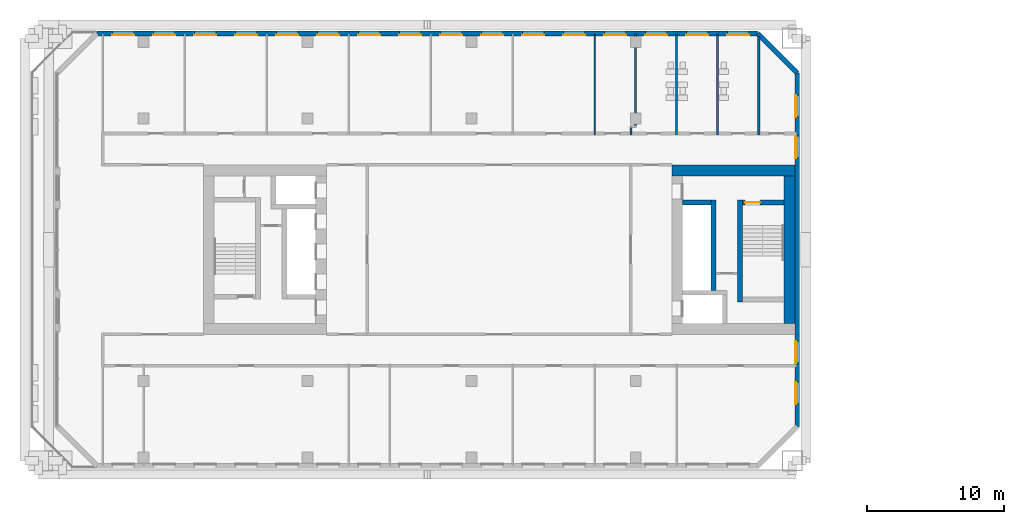
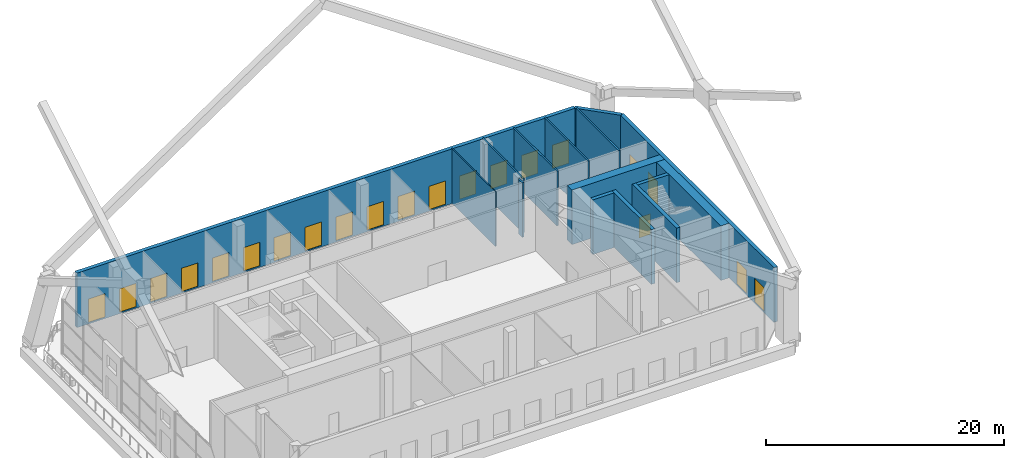
# One storey, part 12 of 20: 20 windows, 15 walls, 1 door, 21 openings.
"""IFC4 building model written with IfcOpenShell, lengths in metres."""

from ifc_helpers import new_model, si_unit, direction, frame, frame_2d, origin, place, context, subcontext, project, spatial, rectangle, extrude, material, layer, layer_set, type_object, element, fill, save


model = new_model("IFC4")

# Units and contexts
model_context = context("Model", 3, precision=1e-05, world=origin(), true_north=direction((0.0, 1.0)))
body_context = subcontext(model_context, "Body", "Model", "MODEL_VIEW")
ifc_project = project(units=[si_unit("LENGTHUNIT", "METRE"), si_unit("AREAUNIT", "SQUARE_METRE"), si_unit("VOLUMEUNIT", "CUBIC_METRE"), si_unit("PLANEANGLEUNIT", "RADIAN"), si_unit("MASSUNIT", "GRAM", prefix="KILO")], contexts=[model_context])

# Site, building, storey
site_placement = place(None, origin())
site = spatial("IfcSite", under=ifc_project, at=site_placement, CompositionType="ELEMENT")
building_placement = place(site_placement, origin())
building = spatial("IfcBuilding", under=site, at=building_placement, Name="Tuart Gate Housing", CompositionType="ELEMENT")
storey_placement = place(building_placement, frame((0.0, 0.0, 38.10009765625)))
storey = spatial("IfcBuildingStorey", under=building, at=storey_placement, Name="L10", CompositionType="ELEMENT", Elevation=38.10009765625)

# Walls
ifc_material_1 = material(Name="Gypsum board on steel studs", Category="steel")
ifc_layer_1 = layer(ifc_material_1, 0.14990234375)
ifc_layer_set_1 = layer_set([ifc_layer_1], Name="Bathroom wall 150")
wall_type_1 = type_object("IfcWallType", Name="Bathroom wall 150", PredefinedType="PLUMBINGWALL", material=ifc_layer_set_1)
wall_1_placement = place(storey_placement, frame((63.639892578125, 78.39990234375, 0.0), z_axis=(0.0, 0.0, 1.0), x_axis=(0.0, 1.0, 0.0)))
element("IfcWall", 1, at=wall_1_placement, inside=storey, type_object=wall_type_1, Name="Bathroom wall 150", PredefinedType="PLUMBINGWALL", context=body_context, shape_type="SweptSolid", body=[
    extrude(rectangle(XDim=0.675048828125, YDim=0.14990234375, at=frame_2d((0.33740234375, 0.0))), origin(), (0.0, 0.0, 1.0), 5.599853515625),
])
wall_2_placement = place(storey_placement, frame((64.0, 78.925048828125, 0.0), z_axis=(0.0, 0.0, 1.0), x_axis=(0.0, 1.0, 0.0)))
element("IfcWall", 2, at=wall_2_placement, inside=storey, type_object=wall_type_1, Name="Bathroom wall 150", PredefinedType="PLUMBINGWALL", context=body_context, shape_type="SweptSolid", body=[
    extrude(rectangle(XDim=6.8349609375, YDim=0.14990234375, at=frame_2d((3.41748046875, 0.0))), origin(), (0.0, 0.0, 1.0), 5.599853515625),
])
for number, where, z_axis, x_axis, name in (
    (3, (67.0, 78.39990234375, 0.0), (0.0, 0.0, 1.0), (0.0, 1.0, 0.0), "Bathroom wall 150"),
    (4, (70.0, 78.39990234375, 0.0), (0.0, 0.0, 1.0), (0.0, 1.0, 0.0), "Bathroom wall 150"),
):
    element("IfcWall", number, at=place(storey_placement, frame(where, z_axis=z_axis, x_axis=x_axis)), inside=storey, type_object=wall_type_1, Name=name, PredefinedType="PLUMBINGWALL", context=body_context, shape_type="SweptSolid", body=[
        extrude(rectangle(XDim=7.360107421875, YDim=0.14990234375, at=frame_2d((3.68017578125, 0.0))), origin(), (0.0, 0.0, 1.0), 5.599853515625),
    ])
wall_3_placement = place(storey_placement, frame((73.0, 78.39990234375, 0.0), z_axis=(0.0, 0.0, 1.0), x_axis=(0.0, 1.0, 0.0)))
element("IfcWall", 5, at=wall_3_placement, inside=storey, type_object=wall_type_1, Name="Bathroom wall 150", PredefinedType="PLUMBINGWALL", context=body_context, shape_type="SweptSolid", body=[
    extrude(rectangle(XDim=7.211181640625, YDim=0.14990234375, at=frame_2d((3.60546875, 0.0))), origin(), (0.0, 0.0, 1.0), 5.599853515625),
])

# Wall, openings, windows
ifc_material_2 = material(Name="Brick", Category="masonry")
ifc_layer_2 = layer(ifc_material_2, 0.360107421875)
ifc_layer_set_2 = layer_set([ifc_layer_2], Name="Brick pier and spandrel wall 360")
wall_type_2 = type_object("IfcWallType", Name="Brick pier and spandrel wall 360", PredefinedType="STANDARD", material=ifc_layer_set_2)
wall_4_placement = place(storey_placement, frame((75.820068359375, 57.07470703125, 0.0), z_axis=(0.0, 0.0, 1.0), x_axis=(0.0, 1.0, 0.0)))
wall_4 = element("IfcWall", 6, at=wall_4_placement, inside=storey, type_object=wall_type_2, Name="External wall A-E L10", PredefinedType="STANDARD", context=body_context, shape_type="SweptSolid", body=[
    extrude(rectangle(XDim=25.850830078125, YDim=0.360107421875, at=frame_2d((12.92529296875, 0.0))), origin(), (0.0, 0.0, 1.0), 5.599853515625),
])
opening_1_placement = place(wall_4_placement, frame((1.62548828125, 0.0, 0.14990234375)))
opening_1 = element("IfcOpeningElement", 7, at=opening_1_placement, cuts=wall_4, Name="Opening W2", PredefinedType="OPENING", context=body_context, shape_type="SweptSolid", body=[
    extrude(rectangle(XDim=1.60009765625, YDim=2.39990234375, at=frame_2d((0.800048828125, 1.199951171875))), frame((0.0, 0.18994140625, 0.0), z_axis=(0.0, -1.0, 0.0), x_axis=(1.0, 0.0, 0.0)), (0.0, 0.0, 1.0), 0.380126953125),
])
opening_2_placement = place(wall_4_placement, frame((4.62548828125, 0.0, 0.14990234375)))
opening_2 = element("IfcOpeningElement", 8, at=opening_2_placement, cuts=wall_4, Name="Opening W2", PredefinedType="OPENING", context=body_context, shape_type="SweptSolid", body=[
    extrude(rectangle(XDim=1.60009765625, YDim=2.39990234375, at=frame_2d((0.800048828125, 1.199951171875))), frame((0.0, 0.18994140625, 0.0), z_axis=(0.0, -1.0, 0.0), x_axis=(1.0, 0.0, 0.0)), (0.0, 0.0, 1.0), 0.380126953125),
])
opening_3_placement = place(wall_4_placement, frame((19.62548828125, 0.0, 0.14990234375)))
opening_3 = element("IfcOpeningElement", 9, at=opening_3_placement, cuts=wall_4, Name="Opening W2", PredefinedType="OPENING", context=body_context, shape_type="SweptSolid", body=[
    extrude(rectangle(XDim=1.60009765625, YDim=2.39990234375, at=frame_2d((0.800048828125, 1.199951171875))), frame((0.0, 0.18994140625, 0.0), z_axis=(0.0, -1.0, 0.0), x_axis=(1.0, 0.0, 0.0)), (0.0, 0.0, 1.0), 0.380126953125),
])
opening_4_placement = place(wall_4_placement, frame((22.62548828125, 0.0, 0.14990234375)))
opening_4 = element("IfcOpeningElement", 10, at=opening_4_placement, cuts=wall_4, Name="Opening W2", PredefinedType="OPENING", context=body_context, shape_type="SweptSolid", body=[
    extrude(rectangle(XDim=1.60009765625, YDim=2.39990234375, at=frame_2d((0.800048828125, 1.199951171875))), frame((0.0, 0.18994140625, 0.0), z_axis=(0.0, -1.0, 0.0), x_axis=(1.0, 0.0, 0.0)), (0.0, 0.0, 1.0), 0.380126953125),
])
ifc_material_3 = material(Name="Aluminium frame with clear glass", Category="aluminium")
window_type = type_object("IfcWindowType", Name="Garden lounge window 1600 x 2400", PartitioningType="SINGLE_PANEL", PredefinedType="WINDOW", material=ifc_material_3)
window_1_placement = place(opening_1_placement, origin())
window_1 = element("IfcWindow", 11, at=window_1_placement, inside=storey, type_object=window_type, Name="Window W2", OverallHeight=2.39990234375, OverallWidth=1.60009765625, PartitioningType="SINGLE_PANEL", PredefinedType="WINDOW", context=body_context, shape_type="SweptSolid", body=[
    extrude(rectangle(XDim=1.60009765625, YDim=2.39990234375, at=frame_2d((0.800048828125, 1.199951171875))), frame((0.0, 0.150146484375, 0.0), z_axis=(0.0, -1.0, 0.0), x_axis=(1.0, 0.0, 0.0)), (0.0, 0.0, 1.0), 0.06005859375),
])
fill(opening_1, window_1)
window_2_placement = place(opening_2_placement, origin())
window_2 = element("IfcWindow", 12, at=window_2_placement, inside=storey, type_object=window_type, Name="Window W2", OverallHeight=2.39990234375, OverallWidth=1.60009765625, PartitioningType="SINGLE_PANEL", PredefinedType="WINDOW", context=body_context, shape_type="SweptSolid", body=[
    extrude(rectangle(XDim=1.60009765625, YDim=2.39990234375, at=frame_2d((0.800048828125, 1.199951171875))), frame((0.0, 0.150146484375, 0.0), z_axis=(0.0, -1.0, 0.0), x_axis=(1.0, 0.0, 0.0)), (0.0, 0.0, 1.0), 0.06005859375),
])
fill(opening_2, window_2)
window_3_placement = place(opening_3_placement, origin())
window_3 = element("IfcWindow", 13, at=window_3_placement, inside=storey, type_object=window_type, Name="Window W2", OverallHeight=2.39990234375, OverallWidth=1.60009765625, PartitioningType="SINGLE_PANEL", PredefinedType="WINDOW", context=body_context, shape_type="SweptSolid", body=[
    extrude(rectangle(XDim=1.60009765625, YDim=2.39990234375, at=frame_2d((0.800048828125, 1.199951171875))), frame((0.0, 0.150146484375, 0.0), z_axis=(0.0, -1.0, 0.0), x_axis=(1.0, 0.0, 0.0)), (0.0, 0.0, 1.0), 0.06005859375),
])
fill(opening_3, window_3)
window_4_placement = place(opening_4_placement, origin())
window_4 = element("IfcWindow", 14, at=window_4_placement, inside=storey, type_object=window_type, Name="Window W2", OverallHeight=2.39990234375, OverallWidth=1.60009765625, PartitioningType="SINGLE_PANEL", PredefinedType="WINDOW", context=body_context, shape_type="SweptSolid", body=[
    extrude(rectangle(XDim=1.60009765625, YDim=2.39990234375, at=frame_2d((0.800048828125, 1.199951171875))), frame((0.0, 0.150146484375, 0.0), z_axis=(0.0, -1.0, 0.0), x_axis=(1.0, 0.0, 0.0)), (0.0, 0.0, 1.0), 0.06005859375),
])
fill(opening_4, window_4)

# Wall
wall_5_placement = place(storey_placement, frame((75.820068359375, 82.92529296875, 0.0), z_axis=(0.0, 0.0, 1.0), x_axis=(-0.707106781187, 0.707106781187, 0.0)))
element("IfcWall", 15, at=wall_5_placement, inside=storey, type_object=wall_type_2, Name="External wall A-NE L10", PredefinedType="STANDARD", context=body_context, shape_type="SweptSolid", body=[
    extrude(rectangle(XDim=4.09375, YDim=0.360107421875, at=frame_2d((2.046875, 0.0))), origin(), (0.0, 0.0, 1.0), 5.599853515625),
])

# Wall, openings, windows
wall_6_placement = place(storey_placement, frame((72.92529296875, 85.820068359375, 0.0), z_axis=(0.0, 0.0, 1.0), x_axis=(-1.0, 0.0, 0.0)))
wall_6 = element("IfcWall", 16, at=wall_6_placement, inside=storey, type_object=wall_type_2, Name="External wall A-N L10", PredefinedType="STANDARD", context=body_context, shape_type="SweptSolid", body=[
    extrude(rectangle(XDim=48.350830078125, YDim=0.360107421875, at=frame_2d((24.17529296875, 0.0))), origin(), (0.0, 0.0, 1.0), 5.599853515625),
])
opening_5_placement = place(wall_6_placement, frame((0.62548828125, 0.0, 0.14990234375)))
opening_5 = element("IfcOpeningElement", 17, at=opening_5_placement, cuts=wall_6, Name="Opening W2", PredefinedType="OPENING", context=body_context, shape_type="SweptSolid", body=[
    extrude(rectangle(XDim=1.60009765625, YDim=2.39990234375, at=frame_2d((0.800048828125, 1.199951171875))), frame((0.0, 0.18994140625, 0.0), z_axis=(0.0, -1.0, 0.0), x_axis=(1.0, 0.0, 0.0)), (0.0, 0.0, 1.0), 0.380126953125),
])
opening_6_placement = place(wall_6_placement, frame((3.62548828125, 0.0, 0.14990234375)))
opening_6 = element("IfcOpeningElement", 18, at=opening_6_placement, cuts=wall_6, Name="Opening W2", PredefinedType="OPENING", context=body_context, shape_type="SweptSolid", body=[
    extrude(rectangle(XDim=1.60009765625, YDim=2.39990234375, at=frame_2d((0.800048828125, 1.199951171875))), frame((0.0, 0.18994140625, 0.0), z_axis=(0.0, -1.0, 0.0), x_axis=(1.0, 0.0, 0.0)), (0.0, 0.0, 1.0), 0.380126953125),
])
opening_7_placement = place(wall_6_placement, frame((6.62548828125, 0.0, 0.14990234375)))
opening_7 = element("IfcOpeningElement", 19, at=opening_7_placement, cuts=wall_6, Name="Opening W2", PredefinedType="OPENING", context=body_context, shape_type="SweptSolid", body=[
    extrude(rectangle(XDim=1.60009765625, YDim=2.39990234375, at=frame_2d((0.800048828125, 1.199951171875))), frame((0.0, 0.18994140625, 0.0), z_axis=(0.0, -1.0, 0.0), x_axis=(1.0, 0.0, 0.0)), (0.0, 0.0, 1.0), 0.380126953125),
])
opening_8_placement = place(wall_6_placement, frame((9.62548828125, 0.0, 0.14990234375)))
opening_8 = element("IfcOpeningElement", 20, at=opening_8_placement, cuts=wall_6, Name="Opening W2", PredefinedType="OPENING", context=body_context, shape_type="SweptSolid", body=[
    extrude(rectangle(XDim=1.60009765625, YDim=2.39990234375, at=frame_2d((0.800048828125, 1.199951171875))), frame((0.0, 0.18994140625, 0.0), z_axis=(0.0, -1.0, 0.0), x_axis=(1.0, 0.0, 0.0)), (0.0, 0.0, 1.0), 0.380126953125),
])
opening_9_placement = place(wall_6_placement, frame((12.62548828125, 0.0, 0.14990234375)))
opening_9 = element("IfcOpeningElement", 21, at=opening_9_placement, cuts=wall_6, Name="Opening W2", PredefinedType="OPENING", context=body_context, shape_type="SweptSolid", body=[
    extrude(rectangle(XDim=1.60009765625, YDim=2.39990234375, at=frame_2d((0.800048828125, 1.199951171875))), frame((0.0, 0.18994140625, 0.0), z_axis=(0.0, -1.0, 0.0), x_axis=(1.0, 0.0, 0.0)), (0.0, 0.0, 1.0), 0.380126953125),
])
opening_10_placement = place(wall_6_placement, frame((15.62548828125, 0.0, 0.14990234375)))
opening_10 = element("IfcOpeningElement", 22, at=opening_10_placement, cuts=wall_6, Name="Opening W2", PredefinedType="OPENING", context=body_context, shape_type="SweptSolid", body=[
    extrude(rectangle(XDim=1.60009765625, YDim=2.39990234375, at=frame_2d((0.800048828125, 1.199951171875))), frame((0.0, 0.18994140625, 0.0), z_axis=(0.0, -1.0, 0.0), x_axis=(1.0, 0.0, 0.0)), (0.0, 0.0, 1.0), 0.380126953125),
])
opening_11_placement = place(wall_6_placement, frame((18.62548828125, 0.0, 0.14990234375)))
opening_11 = element("IfcOpeningElement", 23, at=opening_11_placement, cuts=wall_6, Name="Opening W2", PredefinedType="OPENING", context=body_context, shape_type="SweptSolid", body=[
    extrude(rectangle(XDim=1.60009765625, YDim=2.39990234375, at=frame_2d((0.800048828125, 1.199951171875))), frame((0.0, 0.18994140625, 0.0), z_axis=(0.0, -1.0, 0.0), x_axis=(1.0, 0.0, 0.0)), (0.0, 0.0, 1.0), 0.380126953125),
])
opening_12_placement = place(wall_6_placement, frame((21.62548828125, 0.0, 0.14990234375)))
opening_12 = element("IfcOpeningElement", 24, at=opening_12_placement, cuts=wall_6, Name="Opening W2", PredefinedType="OPENING", context=body_context, shape_type="SweptSolid", body=[
    extrude(rectangle(XDim=1.60009765625, YDim=2.39990234375, at=frame_2d((0.800048828125, 1.199951171875))), frame((0.0, 0.18994140625, 0.0), z_axis=(0.0, -1.0, 0.0), x_axis=(1.0, 0.0, 0.0)), (0.0, 0.0, 1.0), 0.380126953125),
])
opening_13_placement = place(wall_6_placement, frame((24.62548828125, 0.0, 0.14990234375)))
opening_13 = element("IfcOpeningElement", 25, at=opening_13_placement, cuts=wall_6, Name="Opening W2", PredefinedType="OPENING", context=body_context, shape_type="SweptSolid", body=[
    extrude(rectangle(XDim=1.60009765625, YDim=2.39990234375, at=frame_2d((0.800048828125, 1.199951171875))), frame((0.0, 0.18994140625, 0.0), z_axis=(0.0, -1.0, 0.0), x_axis=(1.0, 0.0, 0.0)), (0.0, 0.0, 1.0), 0.380126953125),
])
opening_14_placement = place(wall_6_placement, frame((27.62548828125, 0.0, 0.14990234375)))
opening_14 = element("IfcOpeningElement", 26, at=opening_14_placement, cuts=wall_6, Name="Opening W2", PredefinedType="OPENING", context=body_context, shape_type="SweptSolid", body=[
    extrude(rectangle(XDim=1.60009765625, YDim=2.39990234375, at=frame_2d((0.800048828125, 1.199951171875))), frame((0.0, 0.18994140625, 0.0), z_axis=(0.0, -1.0, 0.0), x_axis=(1.0, 0.0, 0.0)), (0.0, 0.0, 1.0), 0.380126953125),
])
opening_15_placement = place(wall_6_placement, frame((30.62548828125, 0.0, 0.14990234375)))
opening_15 = element("IfcOpeningElement", 27, at=opening_15_placement, cuts=wall_6, Name="Opening W2", PredefinedType="OPENING", context=body_context, shape_type="SweptSolid", body=[
    extrude(rectangle(XDim=1.60009765625, YDim=2.39990234375, at=frame_2d((0.800048828125, 1.199951171875))), frame((0.0, 0.18994140625, 0.0), z_axis=(0.0, -1.0, 0.0), x_axis=(1.0, 0.0, 0.0)), (0.0, 0.0, 1.0), 0.380126953125),
])
opening_16_placement = place(wall_6_placement, frame((33.62548828125, 0.0, 0.14990234375)))
opening_16 = element("IfcOpeningElement", 28, at=opening_16_placement, cuts=wall_6, Name="Opening W2", PredefinedType="OPENING", context=body_context, shape_type="SweptSolid", body=[
    extrude(rectangle(XDim=1.60009765625, YDim=2.39990234375, at=frame_2d((0.800048828125, 1.199951171875))), frame((0.0, 0.18994140625, 0.0), z_axis=(0.0, -1.0, 0.0), x_axis=(1.0, 0.0, 0.0)), (0.0, 0.0, 1.0), 0.380126953125),
])
opening_17_placement = place(wall_6_placement, frame((36.62548828125, 0.0, 0.14990234375)))
opening_17 = element("IfcOpeningElement", 29, at=opening_17_placement, cuts=wall_6, Name="Opening W2", PredefinedType="OPENING", context=body_context, shape_type="SweptSolid", body=[
    extrude(rectangle(XDim=1.60009765625, YDim=2.39990234375, at=frame_2d((0.800048828125, 1.199951171875))), frame((0.0, 0.18994140625, 0.0), z_axis=(0.0, -1.0, 0.0), x_axis=(1.0, 0.0, 0.0)), (0.0, 0.0, 1.0), 0.380126953125),
])
opening_18_placement = place(wall_6_placement, frame((39.62548828125, 0.0, 0.14990234375)))
opening_18 = element("IfcOpeningElement", 30, at=opening_18_placement, cuts=wall_6, Name="Opening W2", PredefinedType="OPENING", context=body_context, shape_type="SweptSolid", body=[
    extrude(rectangle(XDim=1.60009765625, YDim=2.39990234375, at=frame_2d((0.800048828125, 1.199951171875))), frame((0.0, 0.18994140625, 0.0), z_axis=(0.0, -1.0, 0.0), x_axis=(1.0, 0.0, 0.0)), (0.0, 0.0, 1.0), 0.380126953125),
])
opening_19_placement = place(wall_6_placement, frame((42.62548828125, 0.0, 0.14990234375)))
opening_19 = element("IfcOpeningElement", 31, at=opening_19_placement, cuts=wall_6, Name="Opening W2", PredefinedType="OPENING", context=body_context, shape_type="SweptSolid", body=[
    extrude(rectangle(XDim=1.60009765625, YDim=2.39990234375, at=frame_2d((0.800048828125, 1.199951171875))), frame((0.0, 0.18994140625, 0.0), z_axis=(0.0, -1.0, 0.0), x_axis=(1.0, 0.0, 0.0)), (0.0, 0.0, 1.0), 0.380126953125),
])
opening_20_placement = place(wall_6_placement, frame((45.62548828125, 0.0, 0.14990234375)))
opening_20 = element("IfcOpeningElement", 32, at=opening_20_placement, cuts=wall_6, Name="Opening W2", PredefinedType="OPENING", context=body_context, shape_type="SweptSolid", body=[
    extrude(rectangle(XDim=1.60009765625, YDim=2.39990234375, at=frame_2d((0.800048828125, 1.199951171875))), frame((0.0, 0.18994140625, 0.0), z_axis=(0.0, -1.0, 0.0), x_axis=(1.0, 0.0, 0.0)), (0.0, 0.0, 1.0), 0.380126953125),
])
window_5_placement = place(opening_5_placement, origin())
window_5 = element("IfcWindow", 33, at=window_5_placement, inside=storey, type_object=window_type, Name="Window W2", OverallHeight=2.39990234375, OverallWidth=1.60009765625, PartitioningType="SINGLE_PANEL", PredefinedType="WINDOW", context=body_context, shape_type="SweptSolid", body=[
    extrude(rectangle(XDim=1.60009765625, YDim=2.39990234375, at=frame_2d((0.800048828125, 1.199951171875))), frame((0.0, 0.150146484375, 0.0), z_axis=(0.0, -1.0, 0.0), x_axis=(1.0, 0.0, 0.0)), (0.0, 0.0, 1.0), 0.06005859375),
])
fill(opening_5, window_5)
window_6_placement = place(opening_6_placement, origin())
window_6 = element("IfcWindow", 34, at=window_6_placement, inside=storey, type_object=window_type, Name="Window W2", OverallHeight=2.39990234375, OverallWidth=1.60009765625, PartitioningType="SINGLE_PANEL", PredefinedType="WINDOW", context=body_context, shape_type="SweptSolid", body=[
    extrude(rectangle(XDim=1.60009765625, YDim=2.39990234375, at=frame_2d((0.800048828125, 1.199951171875))), frame((0.0, 0.150146484375, 0.0), z_axis=(0.0, -1.0, 0.0), x_axis=(1.0, 0.0, 0.0)), (0.0, 0.0, 1.0), 0.06005859375),
])
fill(opening_6, window_6)
window_7_placement = place(opening_7_placement, origin())
window_7 = element("IfcWindow", 35, at=window_7_placement, inside=storey, type_object=window_type, Name="Window W2", OverallHeight=2.39990234375, OverallWidth=1.60009765625, PartitioningType="SINGLE_PANEL", PredefinedType="WINDOW", context=body_context, shape_type="SweptSolid", body=[
    extrude(rectangle(XDim=1.60009765625, YDim=2.39990234375, at=frame_2d((0.800048828125, 1.199951171875))), frame((0.0, 0.150146484375, 0.0), z_axis=(0.0, -1.0, 0.0), x_axis=(1.0, 0.0, 0.0)), (0.0, 0.0, 1.0), 0.06005859375),
])
fill(opening_7, window_7)
window_8_placement = place(opening_8_placement, origin())
window_8 = element("IfcWindow", 36, at=window_8_placement, inside=storey, type_object=window_type, Name="Window W2", OverallHeight=2.39990234375, OverallWidth=1.60009765625, PartitioningType="SINGLE_PANEL", PredefinedType="WINDOW", context=body_context, shape_type="SweptSolid", body=[
    extrude(rectangle(XDim=1.60009765625, YDim=2.39990234375, at=frame_2d((0.800048828125, 1.199951171875))), frame((0.0, 0.150146484375, 0.0), z_axis=(0.0, -1.0, 0.0), x_axis=(1.0, 0.0, 0.0)), (0.0, 0.0, 1.0), 0.06005859375),
])
fill(opening_8, window_8)
window_9_placement = place(opening_9_placement, origin())
window_9 = element("IfcWindow", 37, at=window_9_placement, inside=storey, type_object=window_type, Name="Window W2", OverallHeight=2.39990234375, OverallWidth=1.60009765625, PartitioningType="SINGLE_PANEL", PredefinedType="WINDOW", context=body_context, shape_type="SweptSolid", body=[
    extrude(rectangle(XDim=1.60009765625, YDim=2.39990234375, at=frame_2d((0.800048828125, 1.199951171875))), frame((0.0, 0.150146484375, 0.0), z_axis=(0.0, -1.0, 0.0), x_axis=(1.0, 0.0, 0.0)), (0.0, 0.0, 1.0), 0.06005859375),
])
fill(opening_9, window_9)
window_10_placement = place(opening_10_placement, origin())
window_10 = element("IfcWindow", 38, at=window_10_placement, inside=storey, type_object=window_type, Name="Window W2", OverallHeight=2.39990234375, OverallWidth=1.60009765625, PartitioningType="SINGLE_PANEL", PredefinedType="WINDOW", context=body_context, shape_type="SweptSolid", body=[
    extrude(rectangle(XDim=1.60009765625, YDim=2.39990234375, at=frame_2d((0.800048828125, 1.199951171875))), frame((0.0, 0.150146484375, 0.0), z_axis=(0.0, -1.0, 0.0), x_axis=(1.0, 0.0, 0.0)), (0.0, 0.0, 1.0), 0.06005859375),
])
fill(opening_10, window_10)
window_11_placement = place(opening_11_placement, origin())
window_11 = element("IfcWindow", 39, at=window_11_placement, inside=storey, type_object=window_type, Name="Window W2", OverallHeight=2.39990234375, OverallWidth=1.60009765625, PartitioningType="SINGLE_PANEL", PredefinedType="WINDOW", context=body_context, shape_type="SweptSolid", body=[
    extrude(rectangle(XDim=1.60009765625, YDim=2.39990234375, at=frame_2d((0.800048828125, 1.199951171875))), frame((0.0, 0.150146484375, 0.0), z_axis=(0.0, -1.0, 0.0), x_axis=(1.0, 0.0, 0.0)), (0.0, 0.0, 1.0), 0.06005859375),
])
fill(opening_11, window_11)
window_12_placement = place(opening_12_placement, origin())
window_12 = element("IfcWindow", 40, at=window_12_placement, inside=storey, type_object=window_type, Name="Window W2", OverallHeight=2.39990234375, OverallWidth=1.60009765625, PartitioningType="SINGLE_PANEL", PredefinedType="WINDOW", context=body_context, shape_type="SweptSolid", body=[
    extrude(rectangle(XDim=1.60009765625, YDim=2.39990234375, at=frame_2d((0.800048828125, 1.199951171875))), frame((0.0, 0.150146484375, 0.0), z_axis=(0.0, -1.0, 0.0), x_axis=(1.0, 0.0, 0.0)), (0.0, 0.0, 1.0), 0.06005859375),
])
fill(opening_12, window_12)
window_13_placement = place(opening_13_placement, origin())
window_13 = element("IfcWindow", 41, at=window_13_placement, inside=storey, type_object=window_type, Name="Window W2", OverallHeight=2.39990234375, OverallWidth=1.60009765625, PartitioningType="SINGLE_PANEL", PredefinedType="WINDOW", context=body_context, shape_type="SweptSolid", body=[
    extrude(rectangle(XDim=1.60009765625, YDim=2.39990234375, at=frame_2d((0.800048828125, 1.199951171875))), frame((0.0, 0.150146484375, 0.0), z_axis=(0.0, -1.0, 0.0), x_axis=(1.0, 0.0, 0.0)), (0.0, 0.0, 1.0), 0.06005859375),
])
fill(opening_13, window_13)
window_14_placement = place(opening_14_placement, origin())
window_14 = element("IfcWindow", 42, at=window_14_placement, inside=storey, type_object=window_type, Name="Window W2", OverallHeight=2.39990234375, OverallWidth=1.60009765625, PartitioningType="SINGLE_PANEL", PredefinedType="WINDOW", context=body_context, shape_type="SweptSolid", body=[
    extrude(rectangle(XDim=1.60009765625, YDim=2.39990234375, at=frame_2d((0.800048828125, 1.199951171875))), frame((0.0, 0.150146484375, 0.0), z_axis=(0.0, -1.0, 0.0), x_axis=(1.0, 0.0, 0.0)), (0.0, 0.0, 1.0), 0.06005859375),
])
fill(opening_14, window_14)
window_15_placement = place(opening_15_placement, origin())
window_15 = element("IfcWindow", 43, at=window_15_placement, inside=storey, type_object=window_type, Name="Window W2", OverallHeight=2.39990234375, OverallWidth=1.60009765625, PartitioningType="SINGLE_PANEL", PredefinedType="WINDOW", context=body_context, shape_type="SweptSolid", body=[
    extrude(rectangle(XDim=1.60009765625, YDim=2.39990234375, at=frame_2d((0.800048828125, 1.199951171875))), frame((0.0, 0.150146484375, 0.0), z_axis=(0.0, -1.0, 0.0), x_axis=(1.0, 0.0, 0.0)), (0.0, 0.0, 1.0), 0.06005859375),
])
fill(opening_15, window_15)
window_16_placement = place(opening_16_placement, origin())
window_16 = element("IfcWindow", 44, at=window_16_placement, inside=storey, type_object=window_type, Name="Window W2", OverallHeight=2.39990234375, OverallWidth=1.60009765625, PartitioningType="SINGLE_PANEL", PredefinedType="WINDOW", context=body_context, shape_type="SweptSolid", body=[
    extrude(rectangle(XDim=1.60009765625, YDim=2.39990234375, at=frame_2d((0.800048828125, 1.199951171875))), frame((0.0, 0.150146484375, 0.0), z_axis=(0.0, -1.0, 0.0), x_axis=(1.0, 0.0, 0.0)), (0.0, 0.0, 1.0), 0.06005859375),
])
fill(opening_16, window_16)
window_17_placement = place(opening_17_placement, origin())
window_17 = element("IfcWindow", 45, at=window_17_placement, inside=storey, type_object=window_type, Name="Window W2", OverallHeight=2.39990234375, OverallWidth=1.60009765625, PartitioningType="SINGLE_PANEL", PredefinedType="WINDOW", context=body_context, shape_type="SweptSolid", body=[
    extrude(rectangle(XDim=1.60009765625, YDim=2.39990234375, at=frame_2d((0.800048828125, 1.199951171875))), frame((0.0, 0.150146484375, 0.0), z_axis=(0.0, -1.0, 0.0), x_axis=(1.0, 0.0, 0.0)), (0.0, 0.0, 1.0), 0.06005859375),
])
fill(opening_17, window_17)
window_18_placement = place(opening_18_placement, origin())
window_18 = element("IfcWindow", 46, at=window_18_placement, inside=storey, type_object=window_type, Name="Window W2", OverallHeight=2.39990234375, OverallWidth=1.60009765625, PartitioningType="SINGLE_PANEL", PredefinedType="WINDOW", context=body_context, shape_type="SweptSolid", body=[
    extrude(rectangle(XDim=1.60009765625, YDim=2.39990234375, at=frame_2d((0.800048828125, 1.199951171875))), frame((0.0, 0.150146484375, 0.0), z_axis=(0.0, -1.0, 0.0), x_axis=(1.0, 0.0, 0.0)), (0.0, 0.0, 1.0), 0.06005859375),
])
fill(opening_18, window_18)
window_19_placement = place(opening_19_placement, origin())
window_19 = element("IfcWindow", 47, at=window_19_placement, inside=storey, type_object=window_type, Name="Window W2", OverallHeight=2.39990234375, OverallWidth=1.60009765625, PartitioningType="SINGLE_PANEL", PredefinedType="WINDOW", context=body_context, shape_type="SweptSolid", body=[
    extrude(rectangle(XDim=1.60009765625, YDim=2.39990234375, at=frame_2d((0.800048828125, 1.199951171875))), frame((0.0, 0.150146484375, 0.0), z_axis=(0.0, -1.0, 0.0), x_axis=(1.0, 0.0, 0.0)), (0.0, 0.0, 1.0), 0.06005859375),
])
fill(opening_19, window_19)
window_20_placement = place(opening_20_placement, origin())
window_20 = element("IfcWindow", 48, at=window_20_placement, inside=storey, type_object=window_type, Name="Window W2", OverallHeight=2.39990234375, OverallWidth=1.60009765625, PartitioningType="SINGLE_PANEL", PredefinedType="WINDOW", context=body_context, shape_type="SweptSolid", body=[
    extrude(rectangle(XDim=1.60009765625, YDim=2.39990234375, at=frame_2d((0.800048828125, 1.199951171875))), frame((0.0, 0.150146484375, 0.0), z_axis=(0.0, -1.0, 0.0), x_axis=(1.0, 0.0, 0.0)), (0.0, 0.0, 1.0), 0.06005859375),
])
fill(opening_20, window_20)

# Wall
ifc_material_4 = material(Name="Concrete C60", Category="concrete")
ifc_layer_3 = layer(ifc_material_4, 0.35009765625)
ifc_layer_set_3 = layer_set([ifc_layer_3], Name="Core wall 350 C60")
wall_type_3 = type_object("IfcWallType", Name="Core wall 350 C60", PredefinedType="SHEAR", material=ifc_layer_set_3)
wall_7_placement = place(storey_placement, frame((67.43994140625, 73.449951171875, 0.0), z_axis=(0.0, 0.0, 1.0), x_axis=(1.0, 0.0, 0.0)))
element("IfcWall", 49, at=wall_7_placement, inside=storey, type_object=wall_type_3, Name="Core wall AG.4", PredefinedType="SHEAR", context=body_context, shape_type="SweptSolid", body=[
    extrude(rectangle(XDim=2.074951171875, YDim=0.35009765625, at=frame_2d((1.03759765625, 0.0))), origin(), (0.0, 0.0, 1.0), 5.599853515625),
])

# Wall, opening, door
wall_8_placement = place(storey_placement, frame((71.81494140625, 73.449951171875, 0.0), z_axis=(0.0, 0.0, 1.0), x_axis=(1.0, 0.0, 0.0)))
wall_8 = element("IfcWall", 50, at=wall_8_placement, inside=storey, type_object=wall_type_3, Name="Core wall AG.5", PredefinedType="SHEAR", context=body_context, shape_type="SweptSolid", body=[
    extrude(rectangle(XDim=3.025146484375, YDim=0.35009765625, at=frame_2d((1.5126953125, 0.0))), origin(), (0.0, 0.0, 1.0), 5.599853515625),
])
opening_21_placement = place(wall_8_placement, frame((0.195068359375, 0.0, 0.0)))
opening_21 = element("IfcOpeningElement", 51, at=opening_21_placement, cuts=wall_8, Name="Opening D2799", PredefinedType="OPENING", context=body_context, shape_type="SweptSolid", body=[
    extrude(rectangle(XDim=1.10009765625, YDim=2.10009765625, at=frame_2d((0.550048828125, 1.050048828125))), frame((0.0, 0.18505859375, 0.0), z_axis=(0.0, -1.0, 0.0), x_axis=(1.0, 0.0, 0.0)), (0.0, 0.0, 1.0), 0.3701171875),
])
ifc_material_5 = material(Name="Steel fire door", Category="steel")
door_type = type_object("IfcDoorType", Name="Stair door 1100 x 2100 RH", OperationType="SINGLE_SWING_RIGHT", PredefinedType="DOOR", material=ifc_material_5)
door_placement = place(opening_21_placement, frame((1.10009765625, 0.0, 0.0), z_axis=(0.0, 0.0, 1.0), x_axis=(-1.0, 0.0, 0.0)))
door = element("IfcDoor", 52, at=door_placement, inside=storey, type_object=door_type, Name="Stair door AG.SD", OperationType="SINGLE_SWING_RIGHT", OverallHeight=2.10009765625, OverallWidth=1.10009765625, PredefinedType="DOOR", context=body_context, shape_type="SweptSolid", body=[
    extrude(rectangle(XDim=1.10009765625, YDim=2.10009765625, at=frame_2d((0.550048828125, 1.050048828125))), frame((0.0, 0.025146484375, 0.0), z_axis=(0.0, -1.0, 0.0), x_axis=(1.0, 0.0, 0.0)), (0.0, 0.0, 1.0), 0.050048828125),
])
fill(opening_21, door)

# Walls
wall_9_placement = place(storey_placement, frame((69.68994140625, 67.02490234375, 0.0), z_axis=(0.0, 0.0, 1.0), x_axis=(0.0, 1.0, 0.0)))
element("IfcWall", 53, at=wall_9_placement, inside=storey, type_object=wall_type_3, Name="Core wall AG.6", PredefinedType="SHEAR", context=body_context, shape_type="SweptSolid", body=[
    extrude(rectangle(XDim=6.60009765625, YDim=0.35009765625, at=frame_2d((3.300048828125, 0.0))), origin(), (0.0, 0.0, 1.0), 5.599853515625),
])
wall_10_placement = place(storey_placement, frame((71.639892578125, 66.175048828125, 0.0), z_axis=(0.0, 0.0, 1.0), x_axis=(0.0, 1.0, 0.0)))
element("IfcWall", 54, at=wall_10_placement, inside=storey, type_object=wall_type_3, Name="Core wall AG.8", PredefinedType="SHEAR", context=body_context, shape_type="SweptSolid", body=[
    extrude(rectangle(XDim=7.449951171875, YDim=0.35009765625, at=frame_2d((3.72509765625, 0.0))), origin(), (0.0, 0.0, 1.0), 5.599853515625),
])
ifc_material_6 = material(Name="Concrete C60", Category="concrete")
ifc_layer_4 = layer(ifc_material_6, 0.800048828125)
ifc_layer_set_4 = layer_set([ifc_layer_4], Name="Core wall 800 C60")
wall_type_4 = type_object("IfcWallType", Name="Core wall 800 C60", PredefinedType="SHEAR", material=ifc_layer_set_4)
wall_11_placement = place(storey_placement, frame((75.239990234375, 64.60009765625, 0.0), z_axis=(0.0, 0.0, 1.0), x_axis=(0.0, 1.0, 0.0)))
element("IfcWall", 55, at=wall_11_placement, inside=storey, type_object=wall_type_4, Name="Core wall AG back", PredefinedType="SHEAR", context=body_context, shape_type="SweptSolid", body=[
    extrude(rectangle(XDim=10.7998046875, YDim=0.800048828125, at=frame_2d((5.39990234375, 0.0))), origin(), (0.0, 0.0, 1.0), 5.599853515625),
])
wall_12_placement = place(storey_placement, frame((66.639892578125, 75.800048828125, 0.0), z_axis=(0.0, 0.0, 1.0), x_axis=(1.0, 0.0, 0.0)))
element("IfcWall", 56, at=wall_12_placement, inside=storey, type_object=wall_type_4, Name="Core wall AG north", PredefinedType="SHEAR", context=body_context, shape_type="SweptSolid", body=[
    extrude(rectangle(XDim=9.0, YDim=0.800048828125, at=frame_2d((4.5, 0.0))), origin(), (0.0, 0.0, 1.0), 5.599853515625),
])
ifc_material_7 = material(Name="Gypsum board on steel studs", Category="steel")
ifc_layer_5 = layer(ifc_material_7, 0.10009765625)
ifc_layer_set_5 = layer_set([ifc_layer_5], Name="Partition 100")
wall_type_5 = type_object("IfcWallType", Name="Partition 100", PredefinedType="PARTITIONING", material=ifc_layer_set_5)
wall_13_placement = place(storey_placement, frame((61.0, 78.39990234375, 0.0), z_axis=(0.0, 0.0, 1.0), x_axis=(0.0, 1.0, 0.0)))
element("IfcWall", 57, at=wall_13_placement, inside=storey, type_object=wall_type_5, Name="Partition 100", PredefinedType="PARTITIONING", context=body_context, shape_type="SweptSolid", body=[
    extrude(rectangle(XDim=7.360107421875, YDim=0.10009765625, at=frame_2d((3.68017578125, 0.0))), origin(), (0.0, 0.0, 1.0), 5.599853515625),
])

save(model, "model.ifc")
